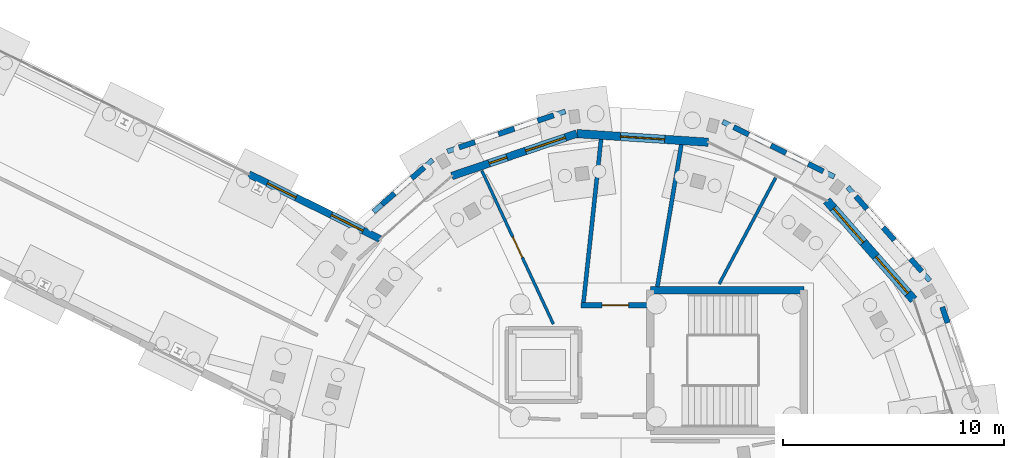
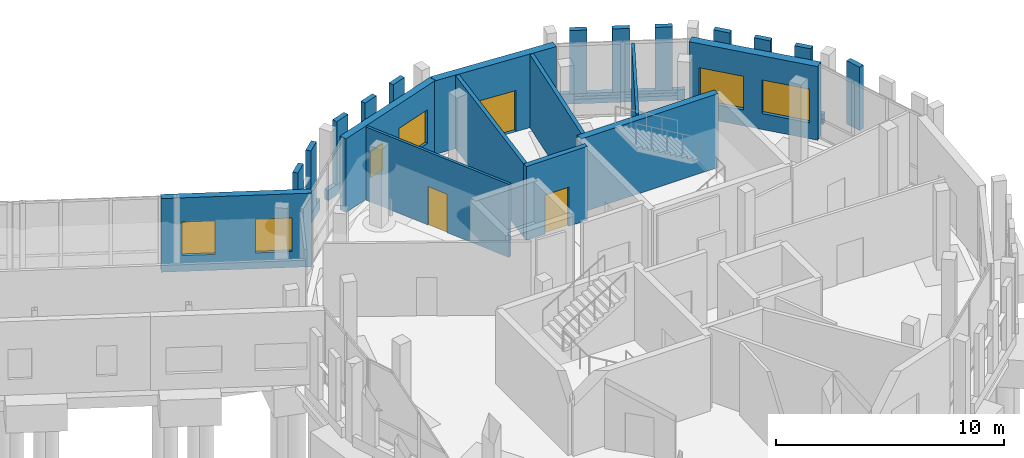
# One storey, part 95 of 113: 26 walls, 6 windows, 3 doors, 9 openings.
"""IFC4 building model written with IfcOpenShell, lengths in metres."""

from ifc_helpers import new_model, si_unit, direction, frame, frame_2d, origin, place, context, subcontext, project, spatial, rectangle, extrude, material, layer, layer_set, type_object, element, fill, save


model = new_model("IFC4")

# Units and contexts
model_context = context("Model", 3, precision=1e-05, world=origin(), true_north=direction((0.0, 1.0)))
body_context = subcontext(model_context, "Body", "Model", "MODEL_VIEW")
ifc_project = project(units=[si_unit("LENGTHUNIT", "METRE"), si_unit("AREAUNIT", "SQUARE_METRE"), si_unit("VOLUMEUNIT", "CUBIC_METRE"), si_unit("PLANEANGLEUNIT", "RADIAN"), si_unit("MASSUNIT", "GRAM", prefix="KILO")], contexts=[model_context])

# Site, building, storey
site_placement = place(None, origin())
site = spatial("IfcSite", under=ifc_project, at=site_placement, CompositionType="ELEMENT")
building_placement = place(site_placement, origin())
building = spatial("IfcBuilding", under=site, at=building_placement, Name="Wrenclough Park School", CompositionType="ELEMENT")
storey_placement = place(building_placement, origin())
storey = spatial("IfcBuildingStorey", under=building, at=storey_placement, Name="L00", CompositionType="ELEMENT", Elevation=0.0)

# Walls
ifc_material_1 = material(Name="Perforated open-bond Staffordshire and Manchester brick screen pier", Category="masonry")
ifc_layer_1 = layer(ifc_material_1, 0.2451171875)
ifc_layer_set_1 = layer_set([ifc_layer_1], Name="Perforated open-bond Staffordshire and Manchester brick screen pier")
wall_type_1 = type_object("IfcWallType", Name="ENV-BS-PR245", PredefinedType="ELEMENTEDWALL", material=ifc_layer_set_1)
for number, where, z_axis, x_axis, name in (
    (1, (189.265380859375, 100.093505859375, 0.550048828125), (0.0, 0.0, 1.0), (-0.321620473335, 0.946868666253, 0.0), "D5 L00 perforated brick screen pier 0140"),
    (2, (188.093994140625, 102.418701171875, 0.550048828125), (0.0, 0.0, 1.0), (-0.659323125798, 0.751859704857, 0.0), "D5 L00 perforated brick screen pier 0141"),
):
    element("IfcWall", number, at=place(storey_placement, frame(where, z_axis=z_axis, x_axis=x_axis)), inside=storey, type_object=wall_type_1, Name=name, PredefinedType="ELEMENTEDWALL", context=body_context, shape_type="SweptSolid", body=[
        extrude(rectangle(XDim=0.759765625, YDim=0.2451171875, at=frame_2d((0.3798828125, 0.0))), origin(), (0.0, 0.0, 1.0), 3.389892578125),
    ])
wall_1_placement = place(storey_placement, frame((186.856201171875, 103.830078125, 0.550048828125), z_axis=(0.0, 0.0, 1.0), x_axis=(-0.659345470196, 0.751840109951, 0.0)))
element("IfcWall", 3, at=wall_1_placement, inside=storey, type_object=wall_type_1, Name="D5 L00 perforated brick screen pier 0142", PredefinedType="ELEMENTEDWALL", context=body_context, shape_type="SweptSolid", body=[
    extrude(rectangle(XDim=0.76025390625, YDim=0.2451171875, at=frame_2d((0.380126953125, 0.0))), origin(), (0.0, 0.0, 1.0), 3.389892578125),
])
for number, where, z_axis, x_axis, name in (
    (4, (185.618408203125, 105.24169921875, 0.550048828125), (0.0, 0.0, 1.0), (-0.659504701015, 0.751700438565, 0.0), "D5 L00 perforated brick screen pier 0143"),
    (5, (183.646240234375, 106.94189453125, 0.550048828125), (0.0, 0.0, 1.0), (-0.896855160379, 0.442324339485, 0.0), "D5 L00 perforated brick screen pier 0144"),
    (6, (181.96240234375, 107.7724609375, 0.550048828125), (0.0, 0.0, 1.0), (-0.896855160379, 0.442324339485, 0.0), "D5 L00 perforated brick screen pier 0145"),
    (7, (180.2783203125, 108.602783203125, 0.550048828125), (0.0, 0.0, 1.0), (-0.896855160379, 0.442324339485, 0.0), "D5 L00 perforated brick screen pier 0146"),
    (8, (171.462158203125, 109.47216796875, 0.550048828125), (0.0, 0.0, 1.0), (-0.946901886192, -0.321522655386, 0.0), "D5 L00 perforated brick screen pier 0147"),
    (9, (169.684326171875, 108.86865234375, 0.550048828125), (0.0, 0.0, 1.0), (-0.946999642396, -0.32123461411, 0.0), "D5 L00 perforated brick screen pier 0148"),
):
    element("IfcWall", number, at=place(storey_placement, frame(where, z_axis=z_axis, x_axis=x_axis)), inside=storey, type_object=wall_type_1, Name=name, PredefinedType="ELEMENTEDWALL", context=body_context, shape_type="SweptSolid", body=[
        extrude(rectangle(XDim=0.760009765625, YDim=0.2451171875, at=frame_2d((0.3798828125, 0.0))), origin(), (0.0, 0.0, 1.0), 3.389892578125),
    ])
wall_2_placement = place(storey_placement, frame((167.906494140625, 108.265380859375, 0.550048828125), z_axis=(0.0, 0.0, 1.0), x_axis=(-0.946868666253, -0.321620473335, 0.0)))
element("IfcWall", 10, at=wall_2_placement, inside=storey, type_object=wall_type_1, Name="D5 L00 perforated brick screen pier 0149", PredefinedType="ELEMENTEDWALL", context=body_context, shape_type="SweptSolid", body=[
    extrude(rectangle(XDim=0.759765625, YDim=0.2451171875, at=frame_2d((0.3798828125, 0.0))), origin(), (0.0, 0.0, 1.0), 3.389892578125),
])
wall_3_placement = place(storey_placement, frame((165.612548828125, 107.12158203125, 0.550048828125), z_axis=(0.0, 0.0, 1.0), x_axis=(-0.751787503055, -0.659405452093, 0.0)))
element("IfcWall", 11, at=wall_3_placement, inside=storey, type_object=wall_type_1, Name="D5 L00 perforated brick screen pier 0150", PredefinedType="ELEMENTEDWALL", context=body_context, shape_type="SweptSolid", body=[
    extrude(rectangle(XDim=0.747802734375, YDim=0.2451171875, at=frame_2d((0.3740234375, 0.0))), origin(), (0.0, 0.0, 1.0), 3.389892578125),
])
wall_4_placement = place(storey_placement, frame((164.272705078125, 105.9462890625, 0.550048828125), z_axis=(0.0, 0.0, 1.0), x_axis=(-0.751929391285, -0.659243650346, 0.0)))
element("IfcWall", 12, at=wall_4_placement, inside=storey, type_object=wall_type_1, Name="D5 L00 perforated brick screen pier 0151", PredefinedType="ELEMENTEDWALL", context=body_context, shape_type="SweptSolid", body=[
    extrude(rectangle(XDim=0.748046875, YDim=0.2451171875, at=frame_2d((0.3740234375, 0.0))), origin(), (0.0, 0.0, 1.0), 3.389892578125),
])
ifc_material_2 = material(Name="Open-bond Manchester multi-stock brick spandrel screen", Category="masonry")
ifc_layer_2 = layer(ifc_material_2, 0.22509765625)
ifc_layer_set_2 = layer_set([ifc_layer_2], Name="Open-bond Manchester multi-stock brick spandrel screen")
wall_type_2 = type_object("IfcWallType", Name="ENV-BS-SP225", PredefinedType="ELEMENTEDWALL", material=ifc_layer_set_2)
wall_5_placement = place(storey_placement, frame((188.46240234375, 101.998779296875, 0.0), z_axis=(0.0, 0.0, 1.0), x_axis=(-0.659363462551, 0.751824330714, 0.0)))
element("IfcWall", 13, at=wall_5_placement, inside=storey, type_object=wall_type_2, Name="D5 L00 open-bond brick screen spandrel 0039", PredefinedType="ELEMENTEDWALL", context=body_context, shape_type="SweptSolid", body=[
    extrude(rectangle(XDim=5.632080078125, YDim=0.22509765625, at=frame_2d((2.81591796875, 0.0))), origin(), (0.0, 0.0, 1.0), 0.550048828125),
])
wall_6_placement = place(storey_placement, frame((184.1474609375, 106.69482421875, 0.0), z_axis=(0.0, 0.0, 1.0), x_axis=(-0.896858387366, 0.442317796398, 0.0)))
element("IfcWall", 14, at=wall_6_placement, inside=storey, type_object=wall_type_2, Name="D5 L00 open-bond brick screen spandrel 0040", PredefinedType="ELEMENTEDWALL", context=body_context, shape_type="SweptSolid", body=[
    extrude(rectangle(XDim=5.6328125, YDim=0.22509765625, at=frame_2d((2.81640625, 0.0))), origin(), (0.0, 0.0, 1.0), 0.550048828125),
])
wall_7_placement = place(storey_placement, frame((171.9912109375, 109.65185546875, 0.0), z_axis=(0.0, 0.0, 1.0), x_axis=(-0.946926405411, -0.321450435893, 0.0)))
element("IfcWall", 15, at=wall_7_placement, inside=storey, type_object=wall_type_2, Name="D5 L00 open-bond brick screen spandrel 0041", PredefinedType="ELEMENTEDWALL", context=body_context, shape_type="SweptSolid", body=[
    extrude(rectangle(XDim=5.63232421875, YDim=0.22509765625, at=frame_2d((2.816162109375, 0.0))), origin(), (0.0, 0.0, 1.0), 0.550048828125),
])
wall_8_placement = place(storey_placement, frame((166.001220703125, 107.46240234375, 0.0), z_axis=(0.0, 0.0, 1.0), x_axis=(-0.751829405296, -0.659357676328, 0.0)))
element("IfcWall", 16, at=wall_8_placement, inside=storey, type_object=wall_type_2, Name="D5 L00 open-bond brick screen spandrel 0042", PredefinedType="ELEMENTEDWALL", context=body_context, shape_type="SweptSolid", body=[
    extrude(rectangle(XDim=3.564208984375, YDim=0.22509765625, at=frame_2d((1.7822265625, 0.0))), origin(), (0.0, 0.0, 1.0), 0.550048828125),
])

# Wall, openings, windows
ifc_material_3 = material(Name="Manchester multi-stock brick and Concrete C32/40 inner leaf", Category="masonry")
ifc_layer_3 = layer(ifc_material_3, 0.324951171875)
ifc_layer_set_3 = layer_set([ifc_layer_3], Name="Manchester multi-stock brick and Concrete C32/40 inner leaf")
wall_type_3 = type_object("IfcWallType", Name="ENV-EW-325", PredefinedType="SOLIDWALL", material=ifc_layer_set_3)
wall_9_placement = place(storey_placement, frame((157.695556640625, 106.814208984375, 0.0), z_axis=(0.0, 0.0, 1.0), x_axis=(0.896260258603, -0.443528520897, 0.0)))
wall_9 = element("IfcWall", 17, at=wall_9_placement, inside=storey, type_object=wall_type_3, Name="L00 insulated brick external wall 0025", PredefinedType="SOLIDWALL", context=body_context, shape_type="SweptSolid", body=[
    extrude(rectangle(XDim=6.60546875, YDim=0.324951171875, at=frame_2d((3.302734375, 0.0))), origin(), (0.0, 0.0, 1.0), 3.93994140625),
])
opening_1_placement = place(wall_9_placement, frame((0.926513671875, 0.0, 0.85009765625)))
opening_1 = element("IfcOpeningElement", 18, at=opening_1_placement, cuts=wall_9, Name="Opening WN-28", PredefinedType="OPENING", context=body_context, shape_type="SweptSolid", body=[
    extrude(rectangle(XDim=1.449951171875, YDim=1.800048828125, at=frame_2d((0.72509765625, 0.89990234375))), frame((0.0, 0.17236328125, 0.0), z_axis=(0.0, -1.0, 0.0), x_axis=(1.0, 0.0, 0.0)), (0.0, 0.0, 1.0), 0.344970703125),
])
opening_2_placement = place(wall_9_placement, frame((4.154052734375, 0.0, 0.85009765625)))
opening_2 = element("IfcOpeningElement", 19, at=opening_2_placement, cuts=wall_9, Name="Opening WN-29", PredefinedType="OPENING", context=body_context, shape_type="SweptSolid", body=[
    extrude(rectangle(XDim=1.60009765625, YDim=1.800048828125, at=frame_2d((0.800048828125, 0.89990234375))), frame((0.0, 0.17236328125, 0.0), z_axis=(0.0, -1.0, 0.0), x_axis=(1.0, 0.0, 0.0)), (0.0, 0.0, 1.0), 0.344970703125),
])
ifc_material_4 = material(Name="Thermally broken aluminium and double-glazed low-e glass", Category="aluminium")
window_type_1 = type_object("IfcWindowType", Name="ENV-WN-28", PartitioningType="SINGLE_PANEL", PredefinedType="WINDOW", material=ifc_material_4)
window_1_placement = place(opening_1_placement, origin())
window_1 = element("IfcWindow", 20, at=window_1_placement, inside=storey, type_object=window_type_1, Name="L00 scheduled facade window 0027", OverallHeight=1.800048828125, OverallWidth=1.449951171875, PartitioningType="SINGLE_PANEL", PredefinedType="WINDOW", context=body_context, shape_type="SweptSolid", body=[
    extrude(rectangle(XDim=1.449951171875, YDim=1.800048828125, at=frame_2d((0.72509765625, 0.89990234375))), frame((0.0, 0.030029296875, 0.0), z_axis=(0.0, -1.0, 0.0), x_axis=(1.0, 0.0, 0.0)), (0.0, 0.0, 1.0), 0.06005859375),
])
fill(opening_1, window_1)
window_type_2 = type_object("IfcWindowType", Name="ENV-WN-29", PartitioningType="DOUBLE_PANEL_VERTICAL", PredefinedType="WINDOW", material=ifc_material_4)
window_2_placement = place(opening_2_placement, origin())
window_2 = element("IfcWindow", 21, at=window_2_placement, inside=storey, type_object=window_type_2, Name="L00 scheduled facade window 0028", OverallHeight=1.800048828125, OverallWidth=1.60009765625, PartitioningType="SINGLE_PANEL", PredefinedType="WINDOW", context=body_context, shape_type="SweptSolid", body=[
    extrude(rectangle(XDim=1.60009765625, YDim=1.800048828125, at=frame_2d((0.800048828125, 0.89990234375))), frame((0.0, 0.030029296875, 0.0), z_axis=(0.0, -1.0, 0.0), x_axis=(1.0, 0.0, 0.0)), (0.0, 0.0, 1.0), 0.06005859375),
])
fill(opening_2, window_2)

ifc_material_5 = material(Name="Staffordshire blue-grey brick and Concrete C35/45 inner leaf", Category="masonry")
ifc_layer_4 = layer(ifc_material_5, 0.35009765625)
ifc_layer_set_4 = layer_set([ifc_layer_4], Name="Staffordshire blue-grey brick and Concrete C35/45 inner leaf")
wall_type_4 = type_object("IfcWallType", Name="ENV-EW-350", PredefinedType="SOLIDWALL", material=ifc_layer_set_4)
wall_10_placement = place(storey_placement, frame((166.861083984375, 106.73095703125, 0.0), z_axis=(0.0, 0.0, 1.0), x_axis=(0.94693663561, 0.321420298269, 0.0)))
wall_10 = element("IfcWall", 22, at=wall_10_placement, inside=storey, type_object=wall_type_4, Name="L00 insulated brick external wall 0026", PredefinedType="SOLIDWALL", context=body_context, shape_type="SweptSolid", body=[
    extrude(rectangle(XDim=5.961181640625, YDim=0.35009765625, at=frame_2d((2.98046875, 0.0))), origin(), (0.0, 0.0, 1.0), 3.93994140625),
])
opening_3_placement = place(wall_10_placement, frame((1.780517578125, 0.0, 0.85009765625)))
opening_3 = element("IfcOpeningElement", 23, at=opening_3_placement, cuts=wall_10, Name="Opening WN-01", PredefinedType="OPENING", context=body_context, shape_type="SweptSolid", body=[
    extrude(rectangle(XDim=0.85009765625, YDim=1.39990234375, at=frame_2d((0.425048828125, 0.699951171875))), frame((0.0, 0.18505859375, 0.0), z_axis=(0.0, -1.0, 0.0), x_axis=(1.0, 0.0, 0.0)), (0.0, 0.0, 1.0), 0.3701171875),
])
opening_4_placement = place(wall_10_placement, frame((3.52099609375, 0.0, 0.85009765625)))
opening_4 = element("IfcOpeningElement", 24, at=opening_4_placement, cuts=wall_10, Name="Opening WN-31", PredefinedType="OPENING", context=body_context, shape_type="SweptSolid", body=[
    extrude(rectangle(XDim=1.89990234375, YDim=1.800048828125, at=frame_2d((0.949951171875, 0.89990234375))), frame((0.0, 0.18505859375, 0.0), z_axis=(0.0, -1.0, 0.0), x_axis=(1.0, 0.0, 0.0)), (0.0, 0.0, 1.0), 0.3701171875),
])
window_type_3 = type_object("IfcWindowType", Name="ENV-WN-01", PartitioningType="SINGLE_PANEL", PredefinedType="WINDOW", material=ifc_material_4)
window_3_placement = place(opening_3_placement, origin())
window_3 = element("IfcWindow", 25, at=window_3_placement, inside=storey, type_object=window_type_3, Name="L00 scheduled facade window 0029", OverallHeight=1.39990234375, OverallWidth=0.85009765625, PartitioningType="SINGLE_PANEL", PredefinedType="WINDOW", context=body_context, shape_type="SweptSolid", body=[
    extrude(rectangle(XDim=0.85009765625, YDim=1.39990234375, at=frame_2d((0.425048828125, 0.699951171875))), frame((0.0, 0.030029296875, 0.0), z_axis=(0.0, -1.0, 0.0), x_axis=(1.0, 0.0, 0.0)), (0.0, 0.0, 1.0), 0.06005859375),
])
fill(opening_3, window_3)
window_type_4 = type_object("IfcWindowType", Name="ENV-WN-31", PartitioningType="DOUBLE_PANEL_VERTICAL", PredefinedType="WINDOW", material=ifc_material_4)
window_4_placement = place(opening_4_placement, origin())
window_4 = element("IfcWindow", 26, at=window_4_placement, inside=storey, type_object=window_type_4, Name="L00 scheduled facade window 0030", OverallHeight=1.800048828125, OverallWidth=1.89990234375, PartitioningType="SINGLE_PANEL", PredefinedType="WINDOW", context=body_context, shape_type="SweptSolid", body=[
    extrude(rectangle(XDim=1.89990234375, YDim=1.800048828125, at=frame_2d((0.949951171875, 0.89990234375))), frame((0.0, 0.030029296875, 0.0), z_axis=(0.0, -1.0, 0.0), x_axis=(1.0, 0.0, 0.0)), (0.0, 0.0, 1.0), 0.06005859375),
])
fill(opening_4, window_4)

# Wall, opening, door
ifc_material_6 = material(Name="Manchester multi-stock brick and Concrete C35/45 inner leaf", Category="masonry")
ifc_layer_5 = layer(ifc_material_6, 0.3798828125)
ifc_layer_set_5 = layer_set([ifc_layer_5], Name="Manchester multi-stock brick and Concrete C35/45 inner leaf")
wall_type_5 = type_object("IfcWallType", Name="ENV-EW-380", PredefinedType="SOLIDWALL", material=ifc_layer_set_5)
wall_11_placement = place(storey_placement, frame((172.505859375, 108.64697265625, 0.0), z_axis=(0.0, 0.0, 1.0), x_axis=(0.997858658418, -0.065407169492, 0.0)))
wall_11 = element("IfcWall", 27, at=wall_11_placement, inside=storey, type_object=wall_type_5, Name="L00 insulated brick external wall 0027", PredefinedType="SOLIDWALL", context=body_context, shape_type="SweptSolid", body=[
    extrude(rectangle(XDim=5.9609375, YDim=0.3798828125, at=frame_2d((2.98046875, 0.0))), origin(), (0.0, 0.0, 1.0), 3.93994140625),
])
opening_5_placement = place(wall_11_placement, frame((1.98046875, 0.0, 0.0)))
opening_5 = element("IfcOpeningElement", 28, at=opening_5_placement, cuts=wall_11, Name="Opening EX-09", PredefinedType="OPENING", context=body_context, shape_type="SweptSolid", body=[
    extrude(rectangle(XDim=2.0, YDim=2.199951171875, at=frame_2d((1.0, 1.10009765625))), frame((0.0, 0.199951171875, 0.0), z_axis=(0.0, -1.0, 0.0), x_axis=(1.0, 0.0, 0.0)), (0.0, 0.0, 1.0), 0.39990234375),
])
ifc_material_7 = material(Name="Thermally broken powder-coated aluminium and laminated safety glass", Category="aluminium")
door_type_1 = type_object("IfcDoorType", Name="DR-EX200", OperationType="NOTDEFINED", PredefinedType="DOOR", material=ifc_material_7)
door_1_placement = place(opening_5_placement, origin())
door_1 = element("IfcDoor", 29, at=door_1_placement, inside=storey, type_object=door_type_1, Name="Pedestrian final exit door EX-09", OperationType="DOUBLE_DOOR_SINGLE_SWING", OverallHeight=2.199951171875, OverallWidth=2.0, PredefinedType="DOOR", context=body_context, shape_type="SweptSolid", body=[
    extrude(rectangle(XDim=2.0, YDim=2.199951171875, at=frame_2d((1.0, 1.10009765625))), frame((0.0, 0.02490234375, 0.0), z_axis=(0.0, -1.0, 0.0), x_axis=(1.0, 0.0, 0.0)), (0.0, 0.0, 1.0), 0.050048828125),
])
fill(opening_5, door_1)

# Wall, openings, windows
ifc_material_8 = material(Name="Staffordshire blue-grey brick and Concrete C40/50 acoustic leaf", Category="masonry")
ifc_layer_6 = layer(ifc_material_8, 0.39990234375)
ifc_layer_set_6 = layer_set([ifc_layer_6], Name="Staffordshire blue-grey brick and Concrete C40/50 acoustic leaf")
wall_type_6 = type_object("IfcWallType", Name="ENV-EW-400", PredefinedType="SOLIDWALL", material=ifc_layer_set_6)
wall_12_placement = place(storey_placement, frame((183.800537109375, 105.62060546875, 0.0), z_axis=(0.0, 0.0, 1.0), x_axis=(0.659353757459, -0.751832842143, 0.0)))
wall_12 = element("IfcWall", 30, at=wall_12_placement, inside=storey, type_object=wall_type_6, Name="L00 insulated brick external wall 0028", PredefinedType="SOLIDWALL", context=body_context, shape_type="SweptSolid", body=[
    extrude(rectangle(XDim=5.9609375, YDim=0.39990234375, at=frame_2d((2.98046875, 0.0))), origin(), (0.0, 0.0, 1.0), 3.93994140625),
])
opening_6_placement = place(wall_12_placement, frame((0.465087890625, 0.0, 0.85009765625)))
opening_6 = element("IfcOpeningElement", 31, at=opening_6_placement, cuts=wall_12, Name="Opening WN-32", PredefinedType="OPENING", context=body_context, shape_type="SweptSolid", body=[
    extrude(rectangle(XDim=2.050048828125, YDim=1.800048828125, at=frame_2d((1.02490234375, 0.89990234375))), frame((0.0, 0.2099609375, 0.0), z_axis=(0.0, -1.0, 0.0), x_axis=(1.0, 0.0, 0.0)), (0.0, 0.0, 1.0), 0.419921875),
])
opening_7_placement = place(wall_12_placement, frame((3.37060546875, 0.0, 0.85009765625)))
opening_7 = element("IfcOpeningElement", 32, at=opening_7_placement, cuts=wall_12, Name="Opening WN-33", PredefinedType="OPENING", context=body_context, shape_type="SweptSolid", body=[
    extrude(rectangle(XDim=2.199951171875, YDim=1.800048828125, at=frame_2d((1.10009765625, 0.89990234375))), frame((0.0, 0.2099609375, 0.0), z_axis=(0.0, -1.0, 0.0), x_axis=(1.0, 0.0, 0.0)), (0.0, 0.0, 1.0), 0.419921875),
])
window_type_5 = type_object("IfcWindowType", Name="ENV-WN-32", PartitioningType="DOUBLE_PANEL_VERTICAL", PredefinedType="WINDOW", material=ifc_material_4)
window_5_placement = place(opening_6_placement, origin())
window_5 = element("IfcWindow", 33, at=window_5_placement, inside=storey, type_object=window_type_5, Name="L00 scheduled facade window 0031", OverallHeight=1.800048828125, OverallWidth=2.050048828125, PartitioningType="SINGLE_PANEL", PredefinedType="WINDOW", context=body_context, shape_type="SweptSolid", body=[
    extrude(rectangle(XDim=2.050048828125, YDim=1.800048828125, at=frame_2d((1.02490234375, 0.89990234375))), frame((0.0, 0.030029296875, 0.0), z_axis=(0.0, -1.0, 0.0), x_axis=(1.0, 0.0, 0.0)), (0.0, 0.0, 1.0), 0.06005859375),
])
fill(opening_6, window_5)
window_type_6 = type_object("IfcWindowType", Name="ENV-WN-33", PartitioningType="DOUBLE_PANEL_VERTICAL", PredefinedType="WINDOW", material=ifc_material_4)
window_6_placement = place(opening_7_placement, origin())
window_6 = element("IfcWindow", 34, at=window_6_placement, inside=storey, type_object=window_type_6, Name="L00 scheduled facade window 0032", OverallHeight=1.800048828125, OverallWidth=2.199951171875, PartitioningType="SINGLE_PANEL", PredefinedType="WINDOW", context=body_context, shape_type="SweptSolid", body=[
    extrude(rectangle(XDim=2.199951171875, YDim=1.800048828125, at=frame_2d((1.10009765625, 0.89990234375))), frame((0.0, 0.030029296875, 0.0), z_axis=(0.0, -1.0, 0.0), x_axis=(1.0, 0.0, 0.0)), (0.0, 0.0, 1.0), 0.06005859375),
])
fill(opening_7, window_6)

# Wall, opening, door
ifc_material_9 = material(Name="Concrete C35/45", Category="concrete")
ifc_layer_7 = layer(ifc_material_9, 0.25)
ifc_layer_set_7 = layer_set([ifc_layer_7], Name="Concrete C35/45")
wall_type_7 = type_object("IfcWallType", Name="INT-CW-250", PredefinedType="SHEAR", material=ifc_layer_set_7)
wall_13_placement = place(storey_placement, frame((175.800048828125, 100.89990234375, 0.0), z_axis=(0.0, 0.0, 1.0), x_axis=(-1.0, 0.0, 0.0)))
wall_13 = element("IfcWall", 35, at=wall_13_placement, inside=storey, type_object=wall_type_7, Name="Core C6 L00 lobby fire wall north", PredefinedType="SHEAR", context=body_context, shape_type="SweptSolid", body=[
    extrude(rectangle(XDim=3.10009765625, YDim=0.25, at=frame_2d((1.550048828125, 0.0))), origin(), (0.0, 0.0, 1.0), 3.949951171875),
])
opening_8_placement = place(wall_13_placement, frame((0.949951171875, 0.0, 0.0)))
opening_8 = element("IfcOpeningElement", 36, at=opening_8_placement, cuts=wall_13, Name="Opening DEP-C6-L00", PredefinedType="OPENING", context=body_context, shape_type="SweptSolid", body=[
    extrude(rectangle(XDim=1.199951171875, YDim=2.10009765625, at=frame_2d((0.60009765625, 1.050048828125))), frame((0.0, 0.135009765625, 0.0), z_axis=(0.0, -1.0, 0.0), x_axis=(1.0, 0.0, 0.0)), (0.0, 0.0, 1.0), 0.27001953125),
])
ifc_material_10 = material(Name="Solid-core hardwood firefighting stair door assembly", Category="wood")
door_type_2 = type_object("IfcDoorType", Name="INT-DR-FF120", OperationType="NOTDEFINED", PredefinedType="DOOR", material=ifc_material_10)
door_2_placement = place(opening_8_placement, frame((1.199951171875, 0.0, 0.0), z_axis=(0.0, 0.0, 1.0), x_axis=(-1.0, 0.0, 0.0)))
door_2 = element("IfcDoor", 37, at=door_2_placement, inside=storey, type_object=door_type_2, Name="Core C6 L00 protected exit passageway fire door", OperationType="SINGLE_SWING_LEFT", OverallHeight=2.10009765625, OverallWidth=1.199951171875, PredefinedType="DOOR", context=body_context, shape_type="SweptSolid", body=[
    extrude(rectangle(XDim=1.199951171875, YDim=2.10009765625, at=frame_2d((0.60009765625, 1.050048828125))), frame((0.0, 0.02490234375, 0.0), z_axis=(0.0, -1.0, 0.0), x_axis=(1.0, 0.0, 0.0)), (0.0, 0.0, 1.0), 0.050048828125),
])
fill(opening_8, door_2)

# Wall
ifc_material_11 = material(Name="Concrete C40/50", Category="concrete")
ifc_layer_8 = layer(ifc_material_11, 0.340087890625)
ifc_layer_set_8 = layer_set([ifc_layer_8], Name="Concrete C40/50")
wall_type_8 = type_object("IfcWallType", Name="INT-CW-340", PredefinedType="SHEAR", material=ifc_layer_set_8)
wall_14_placement = place(storey_placement, frame((182.77001953125, 101.570068359375, 0.0), z_axis=(0.0, 0.0, 1.0), x_axis=(-1.0, 0.0, 0.0)))
element("IfcWall", 38, at=wall_14_placement, inside=storey, type_object=wall_type_8, Name="Core C6 L00 north shear wall", PredefinedType="SHEAR", context=body_context, shape_type="SweptSolid", body=[
    extrude(rectangle(XDim=6.93994140625, YDim=0.340087890625, at=frame_2d((3.469970703125, 0.0))), origin(), (0.0, 0.0, 1.0), 3.949951171875),
])

# Wall, opening, door
ifc_material_12 = material(Name="Standard fire-rated room partition", Category="gypsum")
ifc_layer_9 = layer(ifc_material_12, 0.1298828125)
ifc_layer_set_9 = layer_set([ifc_layer_9], Name="Standard fire-rated room partition")
wall_type_9 = type_object("IfcWallType", Name="INT-PW-130", PredefinedType="PARTITIONING", material=ifc_layer_set_9)
wall_15_placement = place(storey_placement, frame((171.447998046875, 100.044921875, 0.0), z_axis=(0.0, 0.0, 1.0), x_axis=(-0.422616424188, 0.906308643899, 0.0)))
wall_15 = element("IfcWall", 39, at=wall_15_placement, inside=storey, type_object=wall_type_9, Name="L00 internal partition 0115", PredefinedType="PARTITIONING", context=body_context, shape_type="SweptSolid", body=[
    extrude(rectangle(XDim=7.65087890625, YDim=0.1298828125, at=frame_2d((3.825439453125, 0.0))), origin(), (0.0, 0.0, 1.0), 3.9150390625),
])
opening_9_placement = place(wall_15_placement, frame((3.3154296875, 0.0, 0.0)))
opening_9 = element("IfcOpeningElement", 40, at=opening_9_placement, cuts=wall_15, Name="Opening DR-L00-020", PredefinedType="OPENING", context=body_context, shape_type="SweptSolid", body=[
    extrude(rectangle(XDim=1.02001953125, YDim=2.06005859375, at=frame_2d((0.510009765625, 1.030029296875))), frame((0.0, 0.074951171875, 0.0), z_axis=(0.0, -1.0, 0.0), x_axis=(1.0, 0.0, 0.0)), (0.0, 0.0, 1.0), 0.14990234375),
])
ifc_material_13 = material(Name="Accessible WC outward-opening fire door assembly", Category="wood")
door_type_3 = type_object("IfcDoorType", Name="INT-DR-AWC102", OperationType="NOTDEFINED", PredefinedType="DOOR", material=ifc_material_13)
door_3_placement = place(opening_9_placement, origin())
door_3 = element("IfcDoor", 41, at=door_3_placement, inside=storey, type_object=door_type_3, Name="Accessible WC D5 Ground door DR-L00-020", OperationType="SINGLE_SWING_LEFT", OverallHeight=2.06005859375, OverallWidth=1.02001953125, PredefinedType="DOOR", context=body_context, shape_type="SweptSolid", body=[
    extrude(rectangle(XDim=1.02001953125, YDim=2.06005859375, at=frame_2d((0.510009765625, 1.030029296875))), frame((0.0, 0.02490234375, 0.0), z_axis=(0.0, -1.0, 0.0), x_axis=(1.0, 0.0, 0.0)), (0.0, 0.0, 1.0), 0.050048828125),
])
fill(opening_9, door_3)

# Walls
ifc_material_14 = material(Name="Laboratory fire and acoustic partition", Category="gypsum")
ifc_layer_10 = layer(ifc_material_14, 0.18505859375)
ifc_layer_set_10 = layer_set([ifc_layer_10], Name="Laboratory fire and acoustic partition")
wall_type_10 = type_object("IfcWallType", Name="INT-PW-185", PredefinedType="PARTITIONING", material=ifc_layer_set_10)
wall_16_placement = place(storey_placement, frame((176.148193359375, 101.728271484375, 0.0), z_axis=(0.0, 0.0, 1.0), x_axis=(0.166482807525, 0.986044357419, 0.0)))
element("IfcWall", 42, at=wall_16_placement, inside=storey, type_object=wall_type_10, Name="L00 protected exit passageway EI 60 wall 0019", PredefinedType="PARTITIONING", context=body_context, shape_type="SweptSolid", body=[
    extrude(rectangle(XDim=6.515380859375, YDim=0.18505859375, at=frame_2d((3.2578125, 0.0))), origin(), (0.0, 0.0, 1.0), 3.9150390625),
])
wall_17_placement = place(storey_placement, frame((173.60546875, 108.386474609375, 0.0), z_axis=(0.0, 0.0, 1.0), x_axis=(-0.107241554815, -0.994232995289, 0.0)))
element("IfcWall", 43, at=wall_17_placement, inside=storey, type_object=wall_type_10, Name="L00 protected exit passageway EI 60 wall 0020", PredefinedType="PARTITIONING", context=body_context, shape_type="SweptSolid", body=[
    extrude(rectangle(XDim=7.41015625, YDim=0.18505859375, at=frame_2d((3.705078125, 0.0))), origin(), (0.0, 0.0, 1.0), 3.9150390625),
])
ifc_material_15 = material(Name="Moisture-resistant sanitary service wall", Category="gypsum")
ifc_layer_11 = layer(ifc_material_15, 0.139892578125)
ifc_layer_set_11 = layer_set([ifc_layer_11], Name="Moisture-resistant sanitary service wall")
wall_type_11 = type_object("IfcWallType", Name="INT-SV-140", PredefinedType="PLUMBINGWALL", material=ifc_layer_set_11)
wall_18_placement = place(storey_placement, frame((181.490966796875, 106.64794921875, 0.0), z_axis=(0.0, 0.0, 1.0), x_axis=(-0.46950120322, -0.882931832122, 0.0)))
element("IfcWall", 44, at=wall_18_placement, inside=storey, type_object=wall_type_11, Name="L00 internal partition 0124", PredefinedType="PLUMBINGWALL", context=body_context, shape_type="SweptSolid", body=[
    extrude(rectangle(XDim=5.43408203125, YDim=0.139892578125, at=frame_2d((2.717041015625, 0.0))), origin(), (0.0, 0.0, 1.0), 3.9150390625),
])

save(model, "model.ifc")
